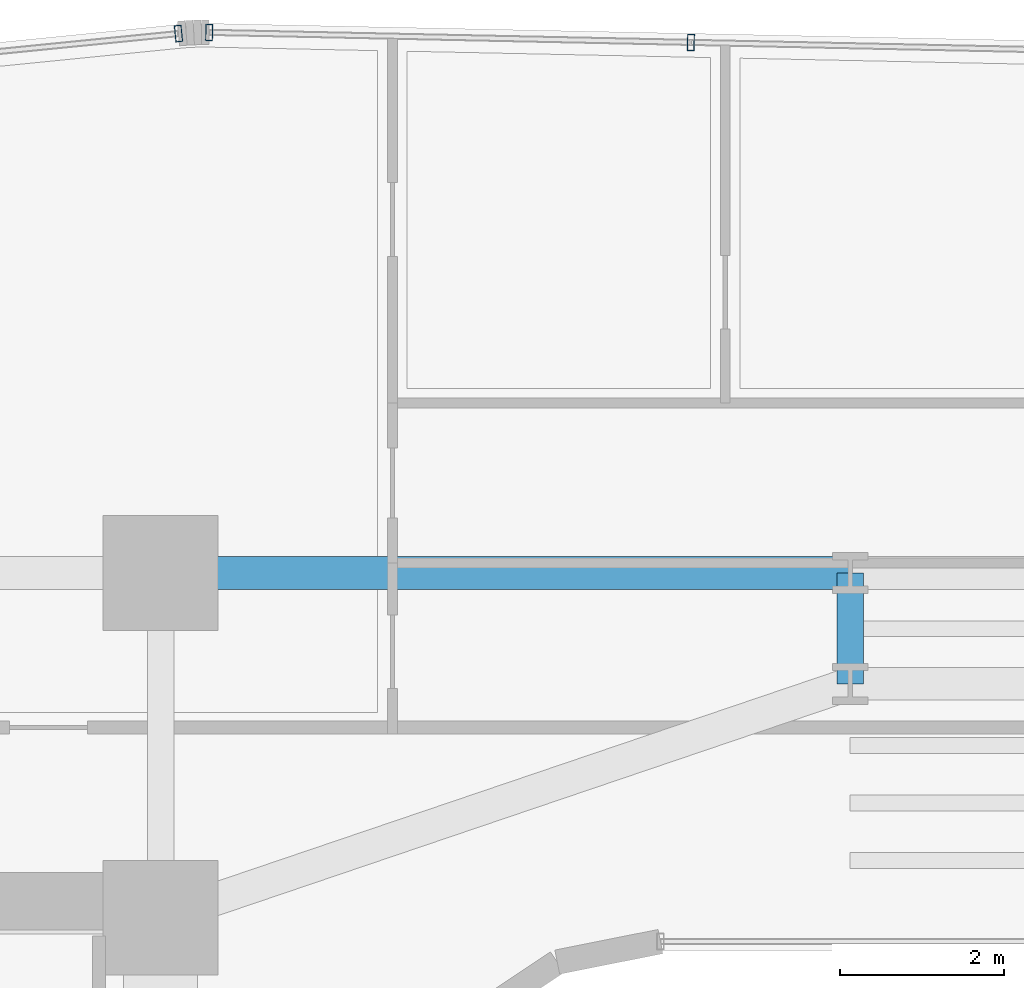
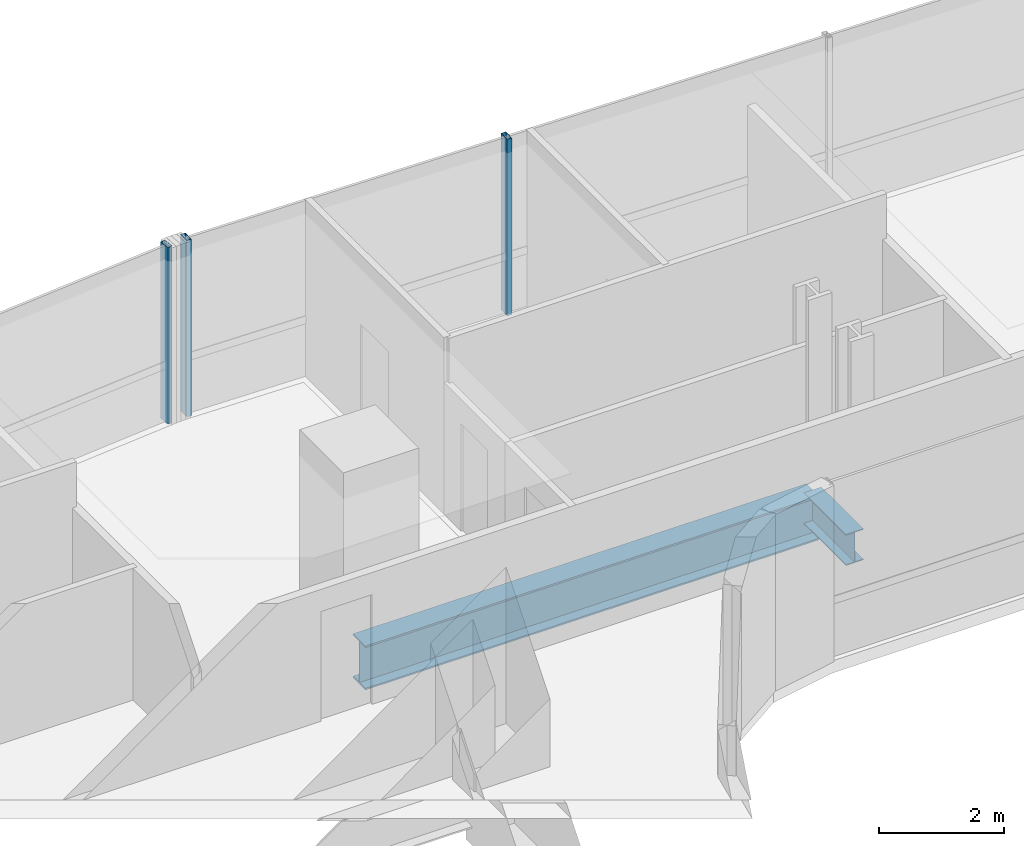
# One storey, part 19 of 40: 3 members, 2 beams, 2 elements without a shape of their own.
"""IFC4 building model written with IfcOpenShell, lengths in metres."""

from ifc_helpers import new_model, si_unit, direction, frame, origin, origin_2d, place, context, subcontext, project, spatial, hollow_rectangle, i_section, extrude, source, transform, mapped, material, material_profile, profile_set, type_object, element, aggregate, save


model = new_model("IFC4")

# Units and contexts
model_context = context("Model", 3, precision=1e-05, world=origin(), true_north=direction((0.0, 1.0)))
body_context = subcontext(model_context, "Body", "Model", "MODEL_VIEW")
ifc_project = project(units=[si_unit("LENGTHUNIT", "METRE"), si_unit("AREAUNIT", "SQUARE_METRE"), si_unit("VOLUMEUNIT", "CUBIC_METRE"), si_unit("PLANEANGLEUNIT", "RADIAN"), si_unit("MASSUNIT", "GRAM", prefix="KILO")], contexts=[model_context])

# Site, building, storey
site_placement = place(None, origin())
site = spatial("IfcSite", under=ifc_project, at=site_placement, CompositionType="ELEMENT")
building_placement = place(site_placement, origin())
building = spatial("IfcBuilding", under=site, at=building_placement, Name="Valdorenza Pilgrim Sanctuary Tower", CompositionType="ELEMENT")
storey_placement = place(building_placement, frame((0.0, 0.0, 40.800048828125)))
storey = spatial("IfcBuildingStorey", under=building, at=storey_placement, Name="L09", CompositionType="ELEMENT", Elevation=40.800048828125)

# Beams
ifc_material_1 = material(Name="Steel ASTM A992 Grade 50", Category="steel")
ifc_material_profile_1 = material_profile(ifc_material_1, i_section(OverallWidth=0.39990234375, OverallDepth=0.862060546875, WebThickness=0.019775390625, FlangeThickness=0.032470703125, at=origin_2d()), Name="W33X221")
ifc_profile_set_1 = profile_set([ifc_material_profile_1], Name="Steel ASTM A992 Grade 50")
beam_type_1 = type_object("IfcBeamType", Name="STR-BM-GRD-W33", PredefinedType="BEAM", material=ifc_profile_set_1)
shared_shape_1 = source(origin(), body_context, "Body", "SweptSolid", [
    extrude(i_section(OverallWidth=0.39990234375, OverallDepth=0.862060546875, WebThickness=0.019775390625, FlangeThickness=0.032470703125, at=origin_2d()), origin(), (0.0, 0.0, 1.0), 8.39990234375),
])
beam_1_placement = place(storey_placement, frame((-12.39990234375, 14.800048828125, -0.671142578125), z_axis=(1.0, 0.0, 0.0), x_axis=(0.0, 1.0, 0.0)))
element("IfcBeam", 1, at=beam_1_placement, inside=storey, type_object=beam_type_1, Name="L09 Floor Girder KNK-G4", PredefinedType="BEAM", context=body_context, shape_type="MappedRepresentation", body=[
    mapped(shared_shape_1, transform((0.0, 0.0, 0.0), x_axis=(1.0, 0.0, 0.0), y_axis=(0.0, 1.0, 0.0), z_axis=(0.0, 0.0, 1.0), scale=1.0)),
])
ifc_material_profile_2 = material_profile(ifc_material_1, i_section(OverallWidth=0.323974609375, OverallDepth=0.611083984375, WebThickness=0.0126953125, FlangeThickness=0.01904296875, at=origin_2d()), Name="W24X104")
ifc_profile_set_2 = profile_set([ifc_material_profile_2], Name="Steel ASTM A992 Grade 50")
beam_type_2 = type_object("IfcBeamType", Name="STR-BM-GRD-W24B", PredefinedType="BEAM", material=ifc_profile_set_2)
shared_shape_2 = source(origin(), body_context, "Body", "SweptSolid", [
    extrude(i_section(OverallWidth=0.323974609375, OverallDepth=0.611083984375, WebThickness=0.0126953125, FlangeThickness=0.01904296875, at=origin_2d()), origin(), (0.0, 0.0, 1.0), 1.35009765625),
])
beam_2_placement = place(storey_placement, frame((-4.0, 13.449951171875, -0.545654296875), z_axis=(0.0, 1.0, 0.0), x_axis=(-1.0, 0.0, 0.0)))
element("IfcBeam", 2, at=beam_2_placement, inside=storey, type_object=beam_type_2, Name="L09 Floor Girder KNK-TIE-W", PredefinedType="BEAM", context=body_context, shape_type="MappedRepresentation", body=[
    mapped(shared_shape_2, transform((0.0, 0.0, 0.0), x_axis=(1.0, 0.0, 0.0), y_axis=(0.0, 1.0, 0.0), z_axis=(0.0, 0.0, 1.0), scale=1.0)),
])

# Curtain wall, member
ifc_material_2 = material(Name="Curtain-wall IGU glazing", Category="glass")
curtain_wall_type = type_object("IfcCurtainWallType", Name="CW-SYS-02", PredefinedType="NOTDEFINED", material=ifc_material_2)
curtain_wall_1_placement = place(storey_placement, origin())
curtain_wall_1 = element("IfcCurtainWall", 3, at=curtain_wall_1_placement, inside=storey, type_object=curtain_wall_type, Name="L09 Curtain Wall CW-L09-1-6", PredefinedType="NOTDEFINED")
ifc_material_3 = material(Name="Anodised aluminium AW-6060", Category="aluminium")
ifc_material_profile_3 = material_profile(ifc_material_3, hollow_rectangle(XDim=0.0849609375, YDim=0.199951171875, WallThickness=0.0048828125, at=origin_2d()), Name="ALU-M 200x85x5")
ifc_profile_set_3 = profile_set([ifc_material_profile_3], Name="Anodised aluminium AW-6060")
member_type = type_object("IfcMemberType", Name="CW-MUL-02", PredefinedType="MULLION", material=ifc_profile_set_3)
shared_shape_3 = source(origin(), body_context, "Body", "SweptSolid", [
    extrude(hollow_rectangle(XDim=0.0849609375, YDim=0.199951171875, WallThickness=0.0048828125, at=origin_2d()), origin(), (0.0, 0.0, 1.0), 3.4599609375),
])
member_1_placement = place(storey_placement, frame((-12.181884765625, 21.371337890625, 0.0), z_axis=(0.0, 0.0, 1.0), x_axis=(0.995038220239, 0.099493418189, 0.0)))
member_1 = element("IfcMember", 4, at=member_1_placement, type_object=member_type, Name="CW-L09-1-6 Mullion 4", PredefinedType="MULLION", context=body_context, shape_type="MappedRepresentation", body=[
    mapped(shared_shape_3, transform((0.0, 0.0, 0.0), x_axis=(1.0, 0.0, 0.0), y_axis=(0.0, 1.0, 0.0), z_axis=(0.0, 0.0, 1.0), scale=1.0)),
])
aggregate(curtain_wall_1, [member_1])

# Curtain wall, members
curtain_wall_2_placement = place(storey_placement, origin())
curtain_wall_2 = element("IfcCurtainWall", 5, at=curtain_wall_2_placement, inside=storey, type_object=curtain_wall_type, Name="L09 Curtain Wall CW-L09-1-11", PredefinedType="NOTDEFINED")
member_2_placement = place(storey_placement, frame((-11.808349609375, 21.385986328125, 0.0), z_axis=(0.0, 0.0, 1.0), x_axis=(0.999783234613, -0.020820273474, 0.0)))
member_2 = element("IfcMember", 6, at=member_2_placement, type_object=member_type, Name="CW-L09-1-11 Mullion 1", PredefinedType="MULLION", context=body_context, shape_type="MappedRepresentation", body=[
    mapped(shared_shape_3, transform((0.0, 0.0, 0.0), x_axis=(1.0, 0.0, 0.0), y_axis=(0.0, 1.0, 0.0), z_axis=(0.0, 0.0, 1.0), scale=1.0)),
])
member_3_placement = place(storey_placement, frame((-5.93994140625, 21.263671875, 0.0), z_axis=(0.0, 0.0, 1.0), x_axis=(0.999783234613, -0.020820273474, 0.0)))
member_3 = element("IfcMember", 7, at=member_3_placement, type_object=member_type, Name="CW-L09-1-11 Mullion 2", PredefinedType="MULLION", context=body_context, shape_type="MappedRepresentation", body=[
    mapped(shared_shape_3, transform((0.0, 0.0, 0.0), x_axis=(1.0, 0.0, 0.0), y_axis=(0.0, 1.0, 0.0), z_axis=(0.0, 0.0, 1.0), scale=1.0)),
])
aggregate(curtain_wall_2, [member_2, member_3])

save(model, "model.ifc")
